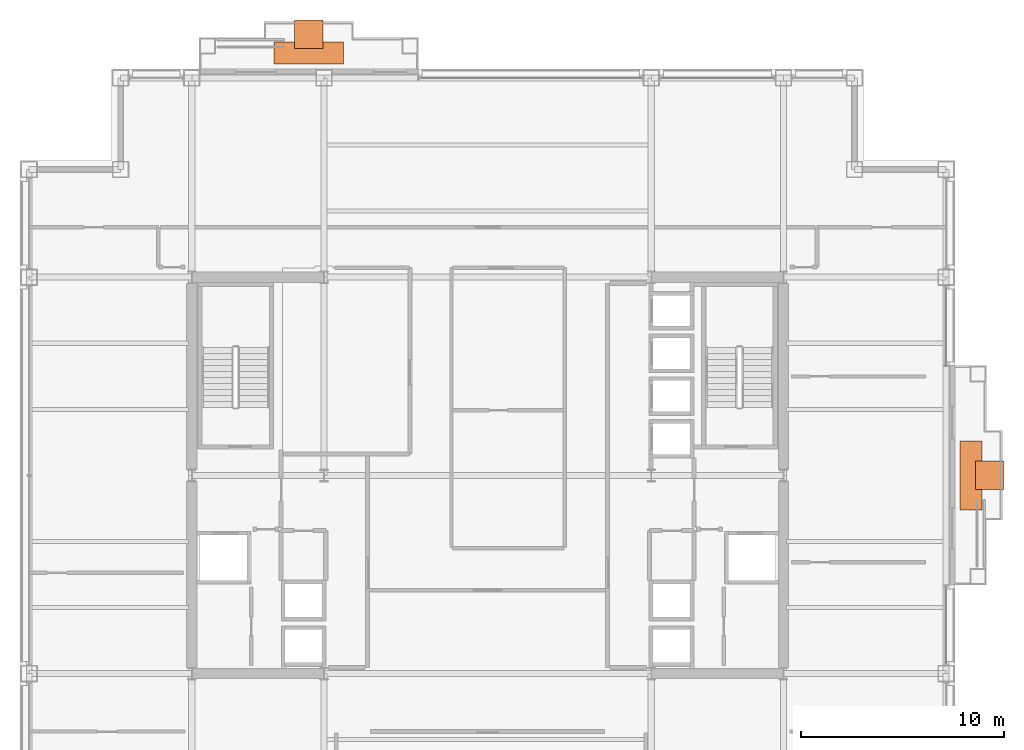
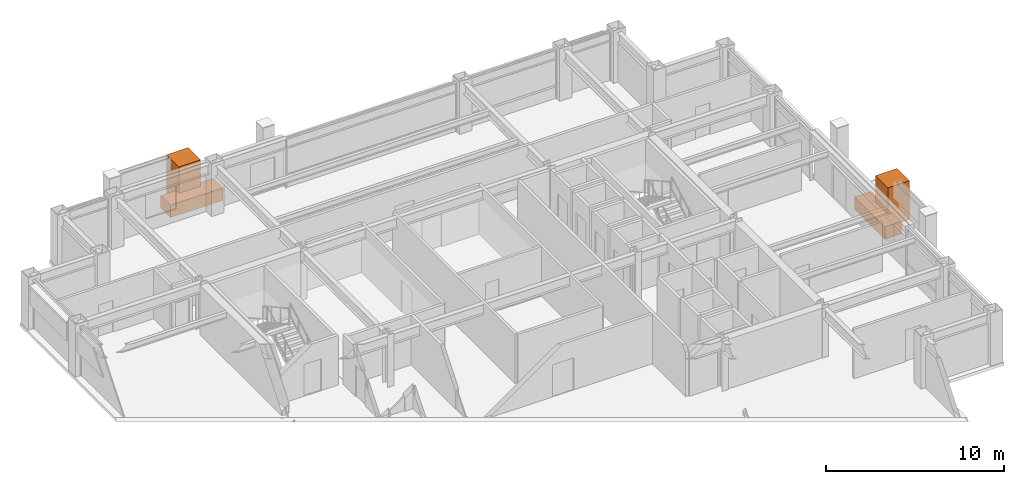
# One storey, part 29 of 29: 4 proxies.
"""IFC4 building model written with IfcOpenShell, lengths in metres."""

from ifc_helpers import new_model, si_unit, direction, frame, origin, origin_2d, place, context, subcontext, project, spatial, rectangle, extrude, material, type_object, element, save


model = new_model("IFC4")

# Units and contexts
model_context = context("Model", 3, precision=1e-05, world=origin(), true_north=direction((0.0, 1.0)))
body_context = subcontext(model_context, "Body", "Model", "MODEL_VIEW")
ifc_project = project(units=[si_unit("LENGTHUNIT", "METRE"), si_unit("AREAUNIT", "SQUARE_METRE"), si_unit("VOLUMEUNIT", "CUBIC_METRE"), si_unit("PLANEANGLEUNIT", "RADIAN"), si_unit("MASSUNIT", "GRAM", prefix="KILO")], contexts=[model_context])

# Site, building, storey
site_placement = place(None, origin())
site = spatial("IfcSite", under=ifc_project, at=site_placement, CompositionType="ELEMENT")
building_placement = place(site_placement, origin())
building = spatial("IfcBuilding", under=site, at=building_placement, Name="Brelmoor Portico Tower", CompositionType="ELEMENT")
storey_placement = place(building_placement, frame((0.0, 0.0, 124.199951171875)))
storey = spatial("IfcBuildingStorey", under=building, at=storey_placement, Name="L32", CompositionType="ELEMENT", Elevation=124.199951171875)

# Proxies
ifc_material_1 = material(Name="Planted Canopy Tree and Soil Rootball", Category="other")
building_element_proxy_type_1 = type_object("IfcBuildingElementProxyType", Name="BALCONY TREE ARBOR", PredefinedType="USERDEFINED", material=ifc_material_1)
for number, where, z_axis, x_axis, name in (
    (1, (-8.800048828125, 21.699951171875, 0.0), (0.0, 0.0, 1.0), (1.0, 0.0, 0.0), "L32 Balcony PLANTER Tree Canopy Arbor N"),
    (2, (24.699951171875, 0.0, 0.0), (0.0, 0.0, 1.0), (1.0, 0.0, 0.0), "L32 Balcony PLANTER Tree Canopy Arbor E"),
):
    element("IfcBuildingElementProxy", number, at=place(storey_placement, frame(where, z_axis=z_axis, x_axis=x_axis)), inside=storey, type_object=building_element_proxy_type_1, Name=name, ObjectType="PLANTER", PredefinedType="USERDEFINED", context=body_context, shape_type="SweptSolid", body=[
        extrude(rectangle(XDim=1.39990234375, YDim=1.39990234375, at=origin_2d()), origin(), (0.0, 0.0, 1.0), 2.64990234375),
    ])
ifc_material_2 = material(Name="Architectural Precast Concrete C40", Category="concrete")
building_element_proxy_type_2 = type_object("IfcBuildingElementProxyType", Name="TREE PLANTER", PredefinedType="USERDEFINED", material=ifc_material_2)
for number, where, z_axis, x_axis, name in (
    (3, (-8.800048828125, 20.77490234375, 0.0), (0.0, 0.0, 1.0), (1.0, 0.0, 0.0), "L32 Planted Tree Planter N"),
    (4, (23.77490234375, 0.0, 0.0), (0.0, 0.0, 1.0), (0.0, 1.0, 0.0), "L32 Planted Tree Planter E"),
):
    element("IfcBuildingElementProxy", number, at=place(storey_placement, frame(where, z_axis=z_axis, x_axis=x_axis)), inside=storey, type_object=building_element_proxy_type_2, Name=name, ObjectType="PLANTER", PredefinedType="USERDEFINED", context=body_context, shape_type="SweptSolid", body=[
        extrude(rectangle(XDim=3.39990234375, YDim=1.10009765625, at=origin_2d()), origin(), (0.0, 0.0, 1.0), 0.85009765625),
    ])

save(model, "model.ifc")
